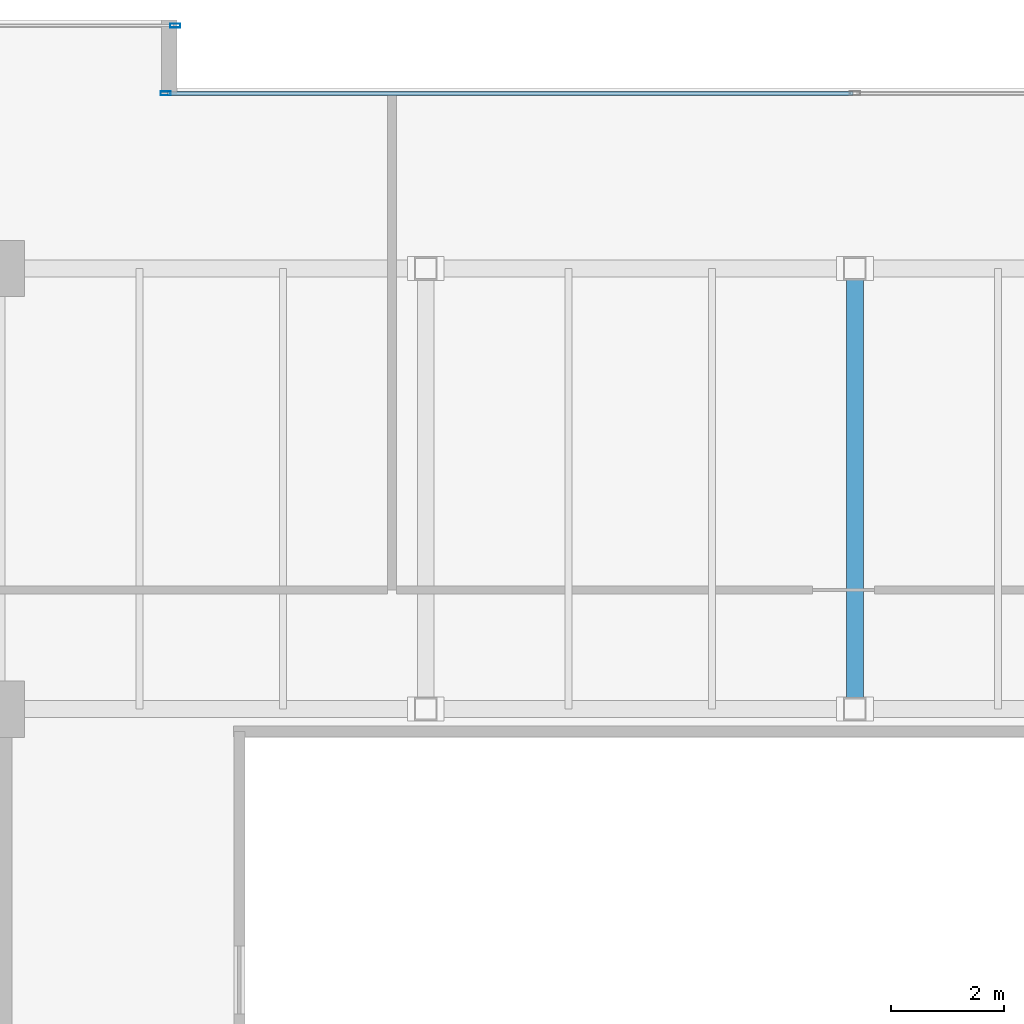
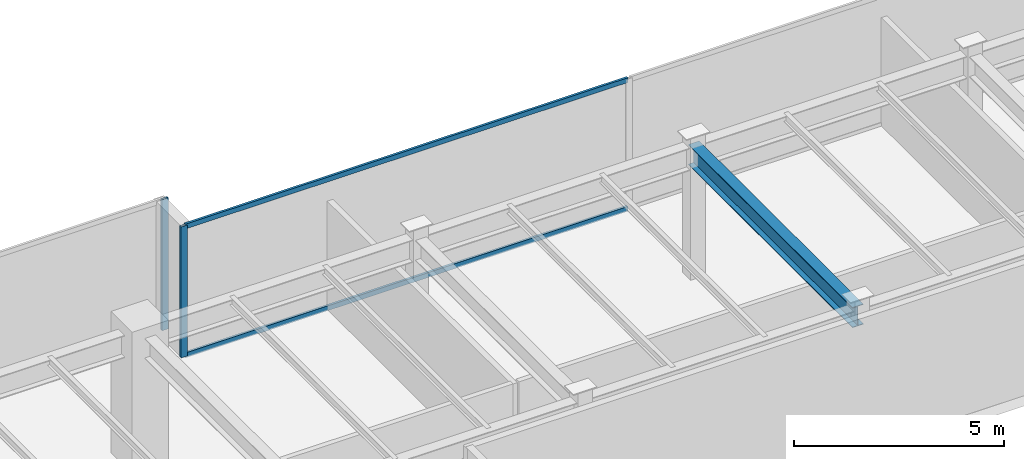
# One storey, part 17 of 33: 4 members, 1 beam, 2 elements without a shape of their own.
"""IFC4 building model written with IfcOpenShell, lengths in metres."""

import ifcopenshell
import ifcopenshell.guid

model = None  # the IFC model being written
_history = None  # IfcOwnerHistory: only IFC2X3 demands one
_inside = {}  # id of a spatial element -> (the spatial element, [elements in it])
_under = {}  # id of a project, library or spatial element -> (it, [spatial elements below it])
_declared = {}  # id of a project -> (the project, [libraries it declares])
_typed = {}  # id of a type object -> (the type object, [elements of that type])
_made_of = {}  # id of a material, layer set ... -> (it, [elements and type objects made of it])


def new_model(schema):
    """Start an empty IFC model of exactly this schema.

    Asked for "IFC4X3", IfcOpenShell would pick the latest addendum, in which some entities
    have other attributes; the version numbers below select the first issue.
    IFC2X3 requires an IfcOwnerHistory on every rooted entity: one is made here for all.
    """
    global model, _history
    if schema == "IFC4X3":
        model = ifcopenshell.file(schema_version=(4, 3, 0, 0))
    else:
        model = ifcopenshell.file(schema=schema)
    _inside.clear()
    _under.clear()
    _declared.clear()
    _typed.clear()
    _made_of.clear()
    _history = None
    if model.schema == "IFC2X3":
        org = make("IfcOrganization", Name="unknown")
        user = make(
            "IfcPersonAndOrganization",
            ThePerson=make("IfcPerson", FamilyName="unknown"),
            TheOrganization=org,
        )
        app = make(
            "IfcApplication",
            ApplicationDeveloper=org,
            Version="unknown",
            ApplicationFullName="unknown",
            ApplicationIdentifier="unknown",
        )
        _history = make(
            "IfcOwnerHistory",
            OwningUser=user,
            OwningApplication=app,
            ChangeAction="ADDED",
            CreationDate=0,
        )
    return model


def make(cls, **values):
    """One entity of the class cls with the attributes given. An attribute that is None is left unset."""
    return model.create_entity(
        cls, **{name: value for name, value in values.items() if value is not None}
    )


def rooted(cls, **values):
    """An entity with a GlobalId (a new one), such as an element, a storey or a relation."""
    return make(cls, GlobalId=ifcopenshell.guid.new(), OwnerHistory=_history, **values)


def si_unit(unit_type, name, prefix=None):
    """IfcSIUnit, for example si_unit("LENGTHUNIT", "METRE", prefix="MILLI")."""
    return make("IfcSIUnit", UnitType=unit_type, Prefix=prefix, Name=name)


def assignment(units):
    """IfcUnitAssignment: the units of a project."""
    return None if units is None else make("IfcUnitAssignment", Units=units)


def point(xyz):
    """IfcCartesianPoint."""
    return None if xyz is None else make("IfcCartesianPoint", Coordinates=xyz)


def direction(xyz):
    """IfcDirection."""
    return None if xyz is None else make("IfcDirection", DirectionRatios=xyz)


def frame(location, z_axis=None, x_axis=None):
    """IfcAxis2Placement3D, a coordinate frame: its origin and axes. An axis left out is left unset."""
    return make(
        "IfcAxis2Placement3D",
        Location=point(location),
        Axis=direction(z_axis),
        RefDirection=direction(x_axis),
    )


def frame_2d(location, x_axis=None):
    """IfcAxis2Placement2D, a coordinate frame in the plane: its origin and x axis."""
    return make(
        "IfcAxis2Placement2D", Location=point(location), RefDirection=direction(x_axis)
    )


def origin():
    """The frame at (0, 0, 0) with its axes left unset."""
    return frame((0.0, 0.0, 0.0))


def origin_2d():
    """The frame at (0, 0) in the plane with its x axis left unset."""
    return frame_2d((0.0, 0.0))


def place(relative_to, where):
    """IfcLocalPlacement: puts the frame where relative to a parent placement (None: the world)."""
    return make(
        "IfcLocalPlacement", PlacementRelTo=relative_to, RelativePlacement=where
    )


def context(
    kind, dimensions, precision=None, world=None, true_north=None, identifier=None
):
    """IfcGeometricRepresentationContext, for example the 3D "Model" context."""
    return make(
        "IfcGeometricRepresentationContext",
        ContextIdentifier=identifier,
        ContextType=kind,
        CoordinateSpaceDimension=dimensions,
        Precision=precision,
        WorldCoordinateSystem=world,
        TrueNorth=true_north,
    )


def subcontext(parent, identifier, kind, view, scale=None):
    """IfcGeometricRepresentationSubContext, for example "Body" below "Model"."""
    return make(
        "IfcGeometricRepresentationSubContext",
        ContextIdentifier=identifier,
        ContextType=kind,
        ParentContext=parent,
        TargetScale=scale,
        TargetView=view,
    )


def project(units=None, contexts=None):
    """IfcProject with its units and contexts."""
    return rooted(
        "IfcProject",
        Name="project",
        RepresentationContexts=contexts,
        UnitsInContext=assignment(units),
    )


def spatial(cls, under=None, at=None, **own):
    """A site, building, storey or space (cls), placed at a placement, below another one or the project."""
    s = rooted(cls, ObjectPlacement=at, **own)
    if under is not None:
        _under.setdefault(under.id(), (under, []))[1].append(s)
    return s


def profile(cls, at=None, kind="AREA", **sizes):
    """A parametric profile (cls). Its sizes go by their IFC names, for example OverallWidth=200.0."""
    return make(cls, ProfileType=kind, Position=at, **sizes)


def hollow_rectangle(**sizes):
    """IfcRectangleHollowProfileDef."""
    return profile("IfcRectangleHollowProfileDef", **sizes)


def i_section(**sizes):
    """IfcIShapeProfileDef."""
    return profile("IfcIShapeProfileDef", **sizes)


def extrude(swept, where, along, depth):
    """IfcExtrudedAreaSolid: the profile swept, set in the frame where, extruded along a direction by depth."""
    return make(
        "IfcExtrudedAreaSolid",
        SweptArea=swept,
        Position=where,
        ExtrudedDirection=direction(along),
        Depth=depth,
    )


def shape(context_of_items, identifier, shape_type, items):
    """IfcShapeRepresentation: the items that make up one representation, for example the "Body"."""
    return make(
        "IfcShapeRepresentation",
        ContextOfItems=context_of_items,
        RepresentationIdentifier=identifier,
        RepresentationType=shape_type,
        Items=items,
    )


def source(mapping_origin, context_of_items, identifier, shape_type, items):
    """IfcRepresentationMap: a shape defined once, which mapped items show again and again."""
    return make(
        "IfcRepresentationMap",
        MappingOrigin=mapping_origin,
        MappedRepresentation=shape(context_of_items, identifier, shape_type, items),
    )


def transform(
    local_origin,
    x_axis=None,
    y_axis=None,
    z_axis=None,
    scale=None,
    scale2=None,
    scale3=None,
    uniform=True,
):
    """IfcCartesianTransformationOperator3D, or its non-uniform kind. x_axis, y_axis, z_axis: its Axis1, 2, 3."""
    if uniform:
        return make(
            "IfcCartesianTransformationOperator3D",
            Axis1=direction(x_axis),
            Axis2=direction(y_axis),
            LocalOrigin=point(local_origin),
            Scale=scale,
            Axis3=direction(z_axis),
        )
    return make(
        "IfcCartesianTransformationOperator3DnonUniform",
        Axis1=direction(x_axis),
        Axis2=direction(y_axis),
        LocalOrigin=point(local_origin),
        Scale=scale,
        Axis3=direction(z_axis),
        Scale2=scale2,
        Scale3=scale3,
    )


def mapped(mapping_source, mapping_target):
    """IfcMappedItem: shows the shape of a source again, moved by a transform."""
    return make(
        "IfcMappedItem", MappingSource=mapping_source, MappingTarget=mapping_target
    )


def material(Name=None, Category=None):
    """IfcMaterial."""
    return make("IfcMaterial", Name=Name, Category=Category)


def layer(
    of_material, thickness, ventilated=None, Name=None, Category=None, Priority=None
):
    """IfcMaterialLayer: one layer of a wall or slab, of a material (None: an air gap)."""
    return make(
        "IfcMaterialLayer",
        Material=of_material,
        LayerThickness=thickness,
        IsVentilated=ventilated,
        Name=Name,
        Category=Category,
        Priority=Priority,
    )


def layer_set(layers, Name=None):
    """IfcMaterialLayerSet."""
    return make("IfcMaterialLayerSet", MaterialLayers=layers, LayerSetName=Name)


def material_profile(
    of_material, cross_section, Name=None, Category=None, Priority=None
):
    """IfcMaterialProfile: a cross section and its material."""
    return make(
        "IfcMaterialProfile",
        Name=Name,
        Material=of_material,
        Profile=cross_section,
        Priority=Priority,
        Category=Category,
    )


def profile_set(profiles, Name=None, composite=None):
    """IfcMaterialProfileSet."""
    return make(
        "IfcMaterialProfileSet",
        Name=Name,
        MaterialProfiles=profiles,
        CompositeProfile=composite,
    )


def made_of(thing, what):
    """Note that an element or type object is made of a material, layer set ...; save() writes the relation."""
    if what is not None:
        _made_of.setdefault(what.id(), (what, []))[1].append(thing)
    return thing


def type_object(cls, material=None, **own):
    """A type object (cls), such as IfcWallType, which elements share."""
    return made_of(rooted(cls, **own), material)


def type_shapes(of_type, sources):
    """Give a type object the sources (RepresentationMaps) that its elements show as mapped items."""
    of_type.RepresentationMaps = sources


def element(
    cls,
    number,
    at=None,
    inside=None,
    cuts=None,
    type_object=None,
    material=None,
    context=None,
    identifier="Body",
    shape_type=None,
    held_by="IfcProductDefinitionShape",
    body=None,
    shapes=None,
    **own,
):
    """One element of the class cls, such as IfcWall. Its Tag is "e" and its number.

    at: its placement. inside: the storey or other place that contains it. cuts: it is an
    opening in that element (IfcRelVoidsElement). A single representation is given by context,
    identifier, shape_type and body (its items); several are given by shapes. held_by: the class
    of the entity that holds the representations. save() writes the other relations.
    """
    e = rooted(cls, Tag="e%d" % number, ObjectPlacement=at, **own)
    if body is not None:
        shapes = [shape(context, identifier, shape_type, body)]
    if shapes is not None:
        e.Representation = make(held_by, Representations=shapes)
    if inside is not None:
        _inside.setdefault(inside.id(), (inside, []))[1].append(e)
    if cuts is not None:
        rooted(
            "IfcRelVoidsElement", RelatingBuildingElement=cuts, RelatedOpeningElement=e
        )
    if type_object is not None:
        _typed.setdefault(type_object.id(), (type_object, []))[1].append(e)
    return made_of(e, material)


def aggregate(whole, parts):
    """IfcRelAggregates: a whole, such as a stair, and the parts it consists of."""
    return rooted("IfcRelAggregates", RelatingObject=whole, RelatedObjects=parts)


def save(model, path):
    """Write the relations noted so far, then the file.

    IfcRelAggregates (storeys below a building ...), IfcRelContainedInSpatialStructure (elements
    in a storey), IfcRelDefinesByType, IfcRelAssociatesMaterial and IfcRelDeclares: one each for
    every whole, place, type object, material and project.
    """
    for whole, parts in _under.values():
        aggregate(whole, parts)
    for where, things in _inside.values():
        rooted(
            "IfcRelContainedInSpatialStructure",
            RelatedElements=things,
            RelatingStructure=where,
        )
    for kind, things in _typed.values():
        rooted("IfcRelDefinesByType", RelatedObjects=things, RelatingType=kind)
    for what, things in _made_of.values():
        rooted("IfcRelAssociatesMaterial", RelatedObjects=things, RelatingMaterial=what)
    for by, libraries in _declared.values():
        rooted("IfcRelDeclares", RelatingContext=by, RelatedDefinitions=libraries)
    model.write(path)


model = new_model("IFC4")

# Units and contexts
model_context = context("Model", 3, precision=1e-05, world=origin(), true_north=direction((0.0, 1.0)))
body_context = subcontext(model_context, "Body", "Model", "MODEL_VIEW")
ifc_project = project(units=[si_unit("LENGTHUNIT", "METRE"), si_unit("AREAUNIT", "SQUARE_METRE"), si_unit("VOLUMEUNIT", "CUBIC_METRE"), si_unit("PLANEANGLEUNIT", "RADIAN"), si_unit("MASSUNIT", "GRAM", prefix="KILO")], contexts=[model_context])

# Site, building, storey
site_placement = place(None, origin())
site = spatial("IfcSite", under=ifc_project, at=site_placement, CompositionType="ELEMENT")
building_placement = place(site_placement, origin())
building = spatial("IfcBuilding", under=site, at=building_placement, Name="Haelvirn Gate Laboratories", CompositionType="ELEMENT")
storey_placement = place(building_placement, frame((0.0, 0.0, 287.5)))
storey = spatial("IfcBuildingStorey", under=building, at=storey_placement, Name="L69", CompositionType="ELEMENT", Elevation=287.5)

# Beam
ifc_material_1 = material(Name="Steel SM355", Category="steel")
ifc_material_profile_1 = material_profile(ifc_material_1, i_section(OverallWidth=0.300048828125, OverallDepth=0.587890625, WebThickness=0.011962890625, FlangeThickness=0.02001953125, at=origin_2d()), Name="H-588x300x12x20")
ifc_profile_set_1 = profile_set([ifc_material_profile_1], Name="Steel SM355")
beam_type = type_object("IfcBeamType", Name="BM-G-588", PredefinedType="BEAM", material=ifc_profile_set_1)
shared_shape_1 = source(origin(), body_context, "Body", "SweptSolid", [
    extrude(i_section(OverallWidth=0.300048828125, OverallDepth=0.587890625, WebThickness=0.011962890625, FlangeThickness=0.02001953125, at=origin_2d()), origin(), (0.0, 0.0, 1.0), 7.800048828125),
])
type_shapes(beam_type, [shared_shape_1])
beam_placement = place(storey_placement, frame((37.39990234375, 33.800048828125, 3.506103515625), z_axis=(0.0, 1.0, 0.0), x_axis=(-1.0, 0.0, 0.0)))
element("IfcBeam", 1, at=beam_placement, inside=storey, type_object=beam_type, Name="L69 Frame Girder X37.4 (33.8-41.6)", PredefinedType="BEAM", context=body_context, shape_type="MappedRepresentation", body=[
    mapped(shared_shape_1, transform((0.0, 0.0, 0.0), scale=1.0)),
])

# Curtain wall, members
ifc_material_2 = material(Name="Anodised bronze unitised aluminium & triple low-E glass", Category="aluminium")
ifc_layer = layer(ifc_material_2, 0.176025390625, Name="CW-SYS-4")
ifc_layer_set = layer_set([ifc_layer], Name="Anodised bronze unitised aluminium & triple low-E glass")
curtain_wall_type = type_object("IfcCurtainWallType", Name="CW-SYS-4", PredefinedType="NOTDEFINED", material=ifc_layer_set)
curtain_wall_1_placement = place(storey_placement, origin())
curtain_wall_1 = element("IfcCurtainWall", 2, at=curtain_wall_1_placement, inside=storey, type_object=curtain_wall_type, Name="L69 Unitised Curtain Wall CW-L69-P0-E12-1", PredefinedType="NOTDEFINED")
ifc_material_3 = material(Name="Extruded aluminium 6063-T6 (anodised bronze)", Category="aluminium")
ifc_material_profile_2 = material_profile(ifc_material_3, hollow_rectangle(XDim=0.06494140625, YDim=0.139892578125, WallThickness=0.00390625, at=origin_2d()), Name="CWT-140x65x4")
ifc_profile_set_2 = profile_set([ifc_material_profile_2], Name="Extruded aluminium 6063-T6 (anodised bronze)")
member_type_1 = type_object("IfcMemberType", Name="CWT-T140", PredefinedType="USERDEFINED", material=ifc_profile_set_2)
shared_shape_2 = source(origin(), body_context, "Body", "SweptSolid", [
    extrude(hollow_rectangle(XDim=0.06494140625, YDim=0.139892578125, WallThickness=0.00390625, at=origin_2d()), origin(), (0.0, 0.0, 1.0), 12.135009765625),
])
type_shapes(member_type_1, [shared_shape_2])
member_1_placement = place(storey_placement, frame((25.22998046875, 44.699951171875, 0.032470703125), z_axis=(1.0, 0.0, 0.0), x_axis=(0.0, 1.0, 0.0)))
member_1 = element("IfcMember", 3, at=member_1_placement, type_object=member_type_1, Name="CW4 transom 1.1", ObjectType="TRANSOM", PredefinedType="USERDEFINED", context=body_context, shape_type="MappedRepresentation", body=[
    mapped(shared_shape_2, transform((0.0, 0.0, 0.0), scale=1.0)),
])
member_2_placement = place(storey_placement, frame((25.22998046875, 44.699951171875, 3.767578125), z_axis=(1.0, 0.0, 0.0), x_axis=(0.0, 1.0, 0.0)))
member_2 = element("IfcMember", 4, at=member_2_placement, type_object=member_type_1, Name="CW4 transom 1.2", ObjectType="TRANSOM", PredefinedType="USERDEFINED", context=body_context, shape_type="MappedRepresentation", body=[
    mapped(shared_shape_2, transform((0.0, 0.0, 0.0), scale=1.0)),
])
ifc_material_profile_3 = material_profile(ifc_material_3, hollow_rectangle(XDim=0.070068359375, YDim=0.179931640625, WallThickness=0.0048828125, at=origin_2d()), Name="CWM-180x70x5")
ifc_profile_set_3 = profile_set([ifc_material_profile_3], Name="Extruded aluminium 6063-T6 (anodised bronze)")
member_type_2 = type_object("IfcMemberType", Name="CWM-T180", PredefinedType="MULLION", material=ifc_profile_set_3)
shared_shape_3 = source(origin(), body_context, "Body", "SweptSolid", [
    extrude(hollow_rectangle(XDim=0.070068359375, YDim=0.179931640625, WallThickness=0.0048828125, at=origin_2d()), origin(), (0.0, 0.0, 1.0), 3.800048828125),
])
type_shapes(member_type_2, [shared_shape_3])
member_3_placement = place(storey_placement, frame((25.195068359375, 44.699951171875, 0.0), z_axis=(0.0, 0.0, 1.0), x_axis=(0.0, 1.0, 0.0)))
member_3 = element("IfcMember", 5, at=member_3_placement, type_object=member_type_2, Name="CW4 mullion 1", PredefinedType="MULLION", context=body_context, shape_type="MappedRepresentation", body=[
    mapped(shared_shape_3, transform((0.0, 0.0, 0.0), scale=1.0)),
])
aggregate(curtain_wall_1, [member_3, member_1, member_2])

# Curtain wall, member
curtain_wall_2_placement = place(storey_placement, origin())
curtain_wall_2 = element("IfcCurtainWall", 6, at=curtain_wall_2_placement, inside=storey, type_object=curtain_wall_type, Name="L69 Unitised Curtain Wall CW-L69-P0-E14-1", PredefinedType="NOTDEFINED")
member_4_placement = place(storey_placement, frame((25.364990234375, 45.89990234375, 0.0), z_axis=(0.0, 0.0, 1.0), x_axis=(0.0, 1.0, 0.0)))
member_4 = element("IfcMember", 7, at=member_4_placement, type_object=member_type_2, Name="CW4 mullion 3", PredefinedType="MULLION", context=body_context, shape_type="MappedRepresentation", body=[
    mapped(shared_shape_3, transform((0.0, 0.0, 0.0), scale=1.0)),
])
aggregate(curtain_wall_2, [member_4])

save(model, "model.ifc")
